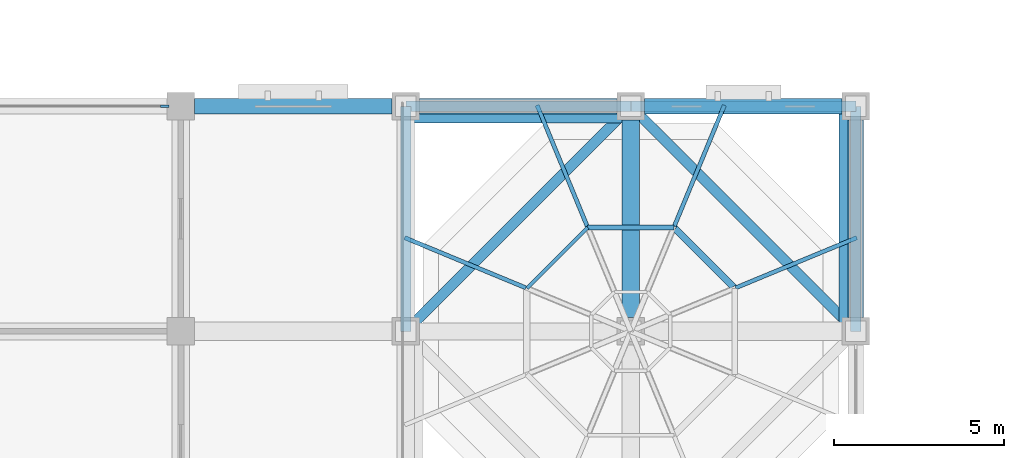
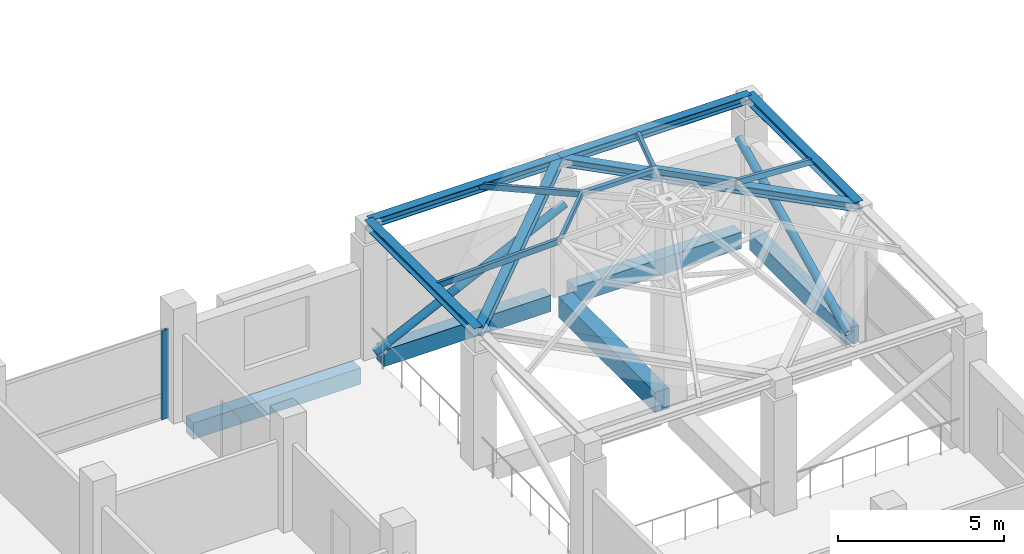
# One storey, part 7 of 25: 11 beams, 10 members, 1 element without a shape of its own.
"""IFC4 building model written with IfcOpenShell, lengths in metres."""

from ifc_helpers import new_model, si_unit, direction, frame, origin, origin_2d, place, context, subcontext, project, spatial, rectangle, hollow_rectangle, hollow_circle, i_section, extrude, material, material_profile, profile_set, type_object, element, aggregate, save


model = new_model("IFC4")

# Units and contexts
model_context = context("Model", 3, precision=1e-05, world=origin(), true_north=direction((0.0, 1.0)))
body_context = subcontext(model_context, "Body", "Model", "MODEL_VIEW")
ifc_project = project(units=[si_unit("LENGTHUNIT", "METRE"), si_unit("AREAUNIT", "SQUARE_METRE"), si_unit("VOLUMEUNIT", "CUBIC_METRE"), si_unit("PLANEANGLEUNIT", "RADIAN"), si_unit("MASSUNIT", "GRAM", prefix="KILO")], contexts=[model_context])

# Site, building, storey
site_placement = place(None, origin())
site = spatial("IfcSite", under=ifc_project, at=site_placement, CompositionType="ELEMENT")
building_placement = place(site_placement, origin())
building = spatial("IfcBuilding", under=site, at=building_placement, Name="Rusizi Kubbe Research Institute", CompositionType="ELEMENT")
storey_placement = place(building_placement, frame((0.0, 0.0, 14.39990234375)))
storey = spatial("IfcBuildingStorey", under=building, at=storey_placement, Name="L03", CompositionType="ELEMENT", Elevation=14.39990234375)

# Beams
ifc_material_1 = material(Name="Steel S355", Category="steel")
ifc_material_profile_1 = material_profile(ifc_material_1, i_section(OverallWidth=0.300048828125, OverallDepth=0.300048828125, WebThickness=0.010986328125, FlangeThickness=0.01904296875, at=origin_2d()), Name="HEB 300")
ifc_profile_set_1 = profile_set([ifc_material_profile_1], Name="Steel S355")
beam_type_1 = type_object("IfcBeamType", Name="BM-HEB300", PredefinedType="BEAM", material=ifc_profile_set_1)
beam_1_placement = place(storey_placement, frame((52.800048828125, 46.199951171875, 4.7001953125), z_axis=(0.0, 1.0, 0.0), x_axis=(-1.0, 0.0, 0.0)))
element("IfcBeam", 1, at=beam_1_placement, inside=storey, type_object=beam_type_1, Name="Kubbe Dome Ring Beam DOME-ATR E2", PredefinedType="BEAM", context=body_context, shape_type="SweptSolid", body=[
    extrude(i_section(OverallWidth=0.300048828125, OverallDepth=0.300048828125, WebThickness=0.010986328125, FlangeThickness=0.01904296875, at=origin_2d()), origin(), (0.0, 0.0, 1.0), 6.60009765625),
])
beam_2_placement = place(storey_placement, frame((39.60009765625, 52.800048828125, 4.7001953125), z_axis=(1.0, 0.0, 0.0), x_axis=(0.0, 1.0, 0.0)))
element("IfcBeam", 2, at=beam_2_placement, inside=storey, type_object=beam_type_1, Name="Kubbe Dome Ring Beam DOME-ATR N1", PredefinedType="BEAM", context=body_context, shape_type="SweptSolid", body=[
    extrude(i_section(OverallWidth=0.300048828125, OverallDepth=0.300048828125, WebThickness=0.010986328125, FlangeThickness=0.01904296875, at=origin_2d()), origin(), (0.0, 0.0, 1.0), 6.599853515625),
])
for number, where, z_axis, x_axis, name in (
    (3, (46.199951171875, 52.800048828125, 4.7001953125), (1.0, 0.0, 0.0), (0.0, 1.0, 0.0), "Kubbe Dome Ring Beam DOME-ATR N2"),
    (4, (39.60009765625, 46.199951171875, 4.7001953125), (0.0, 1.0, 0.0), (-1.0, 0.0, 0.0), "Kubbe Dome Ring Beam DOME-ATR W2"),
):
    element("IfcBeam", number, at=place(storey_placement, frame(where, z_axis=z_axis, x_axis=x_axis)), inside=storey, type_object=beam_type_1, Name=name, PredefinedType="BEAM", context=body_context, shape_type="SweptSolid", body=[
        extrude(i_section(OverallWidth=0.300048828125, OverallDepth=0.300048828125, WebThickness=0.010986328125, FlangeThickness=0.01904296875, at=origin_2d()), origin(), (0.0, 0.0, 1.0), 6.60009765625),
    ])
beam_3_placement = place(storey_placement, frame((52.800048828125, 46.199951171875, 4.7001953125), z_axis=(-0.707106781187, 0.707106781187, 0.0), x_axis=(-0.707106781187, -0.707106781187, 0.0)))
element("IfcBeam", 5, at=beam_3_placement, inside=storey, type_object=beam_type_1, Name="Kubbe Dome Ring Beam DOME-ATR PNE", PredefinedType="BEAM", context=body_context, shape_type="SweptSolid", body=[
    extrude(i_section(OverallWidth=0.300048828125, OverallDepth=0.300048828125, WebThickness=0.010986328125, FlangeThickness=0.01904296875, at=origin_2d()), origin(), (0.0, 0.0, 1.0), 9.333984375),
])
beam_4_placement = place(storey_placement, frame((46.199951171875, 52.800048828125, 4.7001953125), z_axis=(-0.707093702722, -0.707119859409, 0.0), x_axis=(0.707119859409, -0.707093702722, 0.0)))
element("IfcBeam", 6, at=beam_4_placement, inside=storey, type_object=beam_type_1, Name="Kubbe Dome Ring Beam DOME-ATR PNW", PredefinedType="BEAM", context=body_context, shape_type="SweptSolid", body=[
    extrude(i_section(OverallWidth=0.300048828125, OverallDepth=0.300048828125, WebThickness=0.010986328125, FlangeThickness=0.01904296875, at=origin_2d()), origin(), (0.0, 0.0, 1.0), 9.333740234375),
])
ifc_material_2 = material(Name="Concrete C40/50", Category="concrete")
ifc_material_profile_2 = material_profile(ifc_material_2, rectangle(XDim=0.449951171875, YDim=0.60009765625, at=origin_2d()), Name="RC450x600")
ifc_profile_set_2 = profile_set([ifc_material_profile_2], Name="Concrete C40/50")
beam_type_2 = type_object("IfcBeamType", Name="BM-RC450x600", PredefinedType="SPANDREL", material=ifc_profile_set_2)
for number, where, z_axis, x_axis, name in (
    (7, (33.39990234375, 52.800048828125, -0.64990234375), (1.0, 0.0, 0.0), (0.0, 1.0, 0.0), "Grid Beam H L03 (5,8)"),
    (8, (40.0, 52.800048828125, -0.2998046875), (1.0, 0.0, 0.0), (0.0, 1.0, 0.0), "Grid Beam H L03 (6,8)"),
):
    element("IfcBeam", number, at=place(storey_placement, frame(where, z_axis=z_axis, x_axis=x_axis)), inside=storey, type_object=beam_type_2, Name=name, PredefinedType="SPANDREL", context=body_context, shape_type="SweptSolid", body=[
        extrude(rectangle(XDim=0.449951171875, YDim=0.60009765625, at=origin_2d()), origin(), (0.0, 0.0, 1.0), 5.800048828125),
    ])
for number, where, z_axis, x_axis, name in (
    (9, (46.60009765625, 52.800048828125, -0.2998046875), (1.0, 0.0, 0.0), (0.0, 1.0, 0.0), "Grid Beam H L03 (7,8)"),
    (10, (52.800048828125, 46.60009765625, -0.2998046875), (0.0, 1.0, 0.0), (-1.0, 0.0, 0.0), "Grid Beam V L03 (8,7)"),
):
    element("IfcBeam", number, at=place(storey_placement, frame(where, z_axis=z_axis, x_axis=x_axis)), inside=storey, type_object=beam_type_2, Name=name, PredefinedType="SPANDREL", context=body_context, shape_type="SweptSolid", body=[
        extrude(rectangle(XDim=0.449951171875, YDim=0.60009765625, at=origin_2d()), origin(), (0.0, 0.0, 1.0), 5.7998046875),
    ])
ifc_material_3 = material(Name="Concrete C45/55", Category="concrete")
ifc_material_profile_3 = material_profile(ifc_material_3, rectangle(XDim=0.5, YDim=0.75, at=origin_2d()), Name="RC500x750B")
ifc_profile_set_3 = profile_set([ifc_material_profile_3], Name="Concrete C45/55")
beam_type_3 = type_object("IfcBeamType", Name="BM-RC500x750", PredefinedType="BEAM", material=ifc_profile_set_3)
beam_5_placement = place(storey_placement, frame((46.199951171875, 46.60009765625, -0.375), z_axis=(0.0, 1.0, 0.0), x_axis=(-1.0, 0.0, 0.0)))
element("IfcBeam", 11, at=beam_5_placement, inside=storey, type_object=beam_type_3, Name="Grid Beam V L03 (7,7)", PredefinedType="BEAM", context=body_context, shape_type="SweptSolid", body=[
    extrude(rectangle(XDim=0.5, YDim=0.75, at=origin_2d()), origin(), (0.0, 0.0, 1.0), 5.7998046875),
])

# Members
ifc_material_4 = material(Name="Steel S355", Category="steel")
ifc_material_profile_4 = material_profile(ifc_material_4, hollow_circle(Radius=0.136474609375, WallThickness=0.010009765625, at=origin_2d()), Name="CHS 273.0x10.0")
ifc_profile_set_4 = profile_set([ifc_material_profile_4], Name="Steel S355")
member_type_1 = type_object("IfcMemberType", Name="MB-CHS273", PredefinedType="BRACE", material=ifc_profile_set_4)
member_1_placement = place(storey_placement, frame((39.60009765625, 52.43994140625, 0.150146484375), z_axis=(0.901950068618, 0.0, 0.431840333597), x_axis=(0.0, 1.0, 0.0)))
element("IfcMember", 12, at=member_1_placement, inside=storey, type_object=member_type_1, Name="Atrium Frame Lateral Brace L03-N", PredefinedType="BRACE", context=body_context, shape_type="SweptSolid", body=[
    extrude(hollow_circle(Radius=0.136474609375, WallThickness=0.010009765625, at=origin_2d()), origin(), (0.0, 0.0, 1.0), 7.3173828125),
])
member_2_placement = place(storey_placement, frame((52.43994140625, 46.199951171875, 0.150146484375), z_axis=(0.0, 0.901956290403, 0.431827338414), x_axis=(-1.0, 0.0, 0.0)))
element("IfcMember", 13, at=member_2_placement, inside=storey, type_object=member_type_1, Name="Atrium Frame Lateral Brace L03-E", PredefinedType="BRACE", context=body_context, shape_type="SweptSolid", body=[
    extrude(hollow_circle(Radius=0.136474609375, WallThickness=0.010009765625, at=origin_2d()), origin(), (0.0, 0.0, 1.0), 7.317626953125),
])
ifc_material_5 = material(Name="Steel S355", Category="steel")
ifc_material_profile_5 = material_profile(ifc_material_5, hollow_rectangle(XDim=0.10009765625, YDim=0.179931640625, WallThickness=0.008056640625, at=origin_2d()), Name="RHS 180x100x8.0")
ifc_profile_set_5 = profile_set([ifc_material_profile_5], Name="Steel S355")
member_type_2 = type_object("IfcMemberType", Name="MB-RHS180", PredefinedType="PURLIN", material=ifc_profile_set_5)
member_3_placement = place(storey_placement, frame((44.937255859375, 49.248779296875, 6.045166015625), z_axis=(-0.707155108889, -0.707058450181, 0.0), x_axis=(0.707058450181, -0.707155108889, 0.0)))
element("IfcMember", 14, at=member_3_placement, inside=storey, type_object=member_type_2, Name="Kubbe Vault Hoop Purlin Mid DOME-ATR-3", PredefinedType="PURLIN", context=body_context, shape_type="SweptSolid", body=[
    extrude(hollow_rectangle(XDim=0.10009765625, YDim=0.179931640625, WallThickness=0.008056640625, at=origin_2d()), origin(), (0.0, 0.0, 1.0), 2.52587890625),
])
ifc_material_6 = material(Name="Steel S355", Category="steel")
ifc_material_profile_6 = material_profile(ifc_material_6, hollow_rectangle(XDim=0.1201171875, YDim=0.199951171875, WallThickness=0.008056640625, at=origin_2d()), Name="RHS 200x120x8.0")
ifc_profile_set_6 = profile_set([ifc_material_profile_6], Name="Steel S355")
member_type_3 = type_object("IfcMemberType", Name="MB-RHS200", PredefinedType="RAFTER", material=ifc_profile_set_6)
for number, where, z_axis, x_axis, name in (
    (15, (52.800048828125, 48.933837890625, 4.7001953125), (-0.872041315873, -0.361202318722, 0.330267813086), (0.38267527446, -0.923882911584, 0.0), "Kubbe Arch Rib Lower DOME-ATR-1"),
    (16, (48.933837890625, 52.800048828125, 4.7001953125), (-0.361202318722, -0.872041315873, 0.330267813086), (0.923882911584, -0.38267527446, 0.0), "Kubbe Arch Rib Lower DOME-ATR-2"),
    (17, (43.46630859375, 52.800048828125, 4.7001953125), (0.361202318722, -0.872041315873, 0.330267813086), (0.923882911584, 0.38267527446, 0.0), "Kubbe Arch Rib Lower DOME-ATR-3"),
    (18, (39.60009765625, 48.933837890625, 4.7001953125), (0.872026953945, -0.361221202992, 0.330285080047), (0.382697731059, 0.923873609669, 0.0), "Kubbe Arch Rib Lower DOME-ATR-4"),
):
    element("IfcMember", number, at=place(storey_placement, frame(where, z_axis=z_axis, x_axis=x_axis)), inside=storey, type_object=member_type_3, Name=name, PredefinedType="RAFTER", context=body_context, shape_type="SweptSolid", body=[
        extrude(hollow_rectangle(XDim=0.1201171875, YDim=0.199951171875, WallThickness=0.008056640625, at=origin_2d()), origin(), (0.0, 0.0, 1.0), 4.072265625),
    ])
ifc_material_7 = material(Name="Steel S355", Category="steel")
ifc_material_profile_7 = material_profile(ifc_material_7, hollow_rectangle(XDim=0.14990234375, YDim=0.14990234375, WallThickness=0.008056640625, at=origin_2d()), Name="SHS 150x150x8.0")
ifc_profile_set_7 = profile_set([ifc_material_profile_7], Name="Steel S355")
member_type_4 = type_object("IfcMemberType", Name="MB-SHS150", PredefinedType="PURLIN", material=ifc_profile_set_7)
member_4_placement = place(storey_placement, frame((47.462890625, 49.248779296875, 6.045166015625), z_axis=(-1.0, 0.0, 0.0), x_axis=(0.0, -1.0, 0.0)))
element("IfcMember", 19, at=member_4_placement, inside=storey, type_object=member_type_4, Name="Kubbe Vault Hoop Purlin Mid DOME-ATR-2", PredefinedType="PURLIN", context=body_context, shape_type="SweptSolid", body=[
    extrude(hollow_rectangle(XDim=0.14990234375, YDim=0.14990234375, WallThickness=0.008056640625, at=origin_2d()), origin(), (0.0, 0.0, 1.0), 2.525634765625),
])
ifc_material_8 = material(Name="Steel S355", Category="steel")
ifc_material_profile_8 = material_profile(ifc_material_8, hollow_rectangle(XDim=0.199951171875, YDim=0.199951171875, WallThickness=0.010009765625, at=origin_2d()), Name="SHS 200x200x10.0")
ifc_profile_set_8 = profile_set([ifc_material_profile_8], Name="Steel S355")
member_type_5 = type_object("IfcMemberType", Name="MB-SHS200", PredefinedType="PURLIN", material=ifc_profile_set_8)
member_5_placement = place(storey_placement, frame((49.248779296875, 47.462890625, 6.045166015625), z_axis=(-0.707106781187, 0.707106781187, 0.0), x_axis=(-0.707106781187, -0.707106781187, 0.0)))
element("IfcMember", 20, at=member_5_placement, inside=storey, type_object=member_type_5, Name="Kubbe Vault Hoop Purlin Mid DOME-ATR-1", PredefinedType="PURLIN", context=body_context, shape_type="SweptSolid", body=[
    extrude(hollow_rectangle(XDim=0.199951171875, YDim=0.199951171875, WallThickness=0.010009765625, at=origin_2d()), origin(), (0.0, 0.0, 1.0), 2.525634765625),
])

# Curtain wall, member
ifc_material_9 = material(Name="Thermally Broken Aluminium and Low-E Glazing", Category="aluminium")
curtain_wall_type = type_object("IfcCurtainWallType", Name="CW-06", PredefinedType="NOTDEFINED", material=ifc_material_9)
curtain_wall_placement = place(storey_placement, origin())
curtain_wall = element("IfcCurtainWall", 21, at=curtain_wall_placement, inside=storey, type_object=curtain_wall_type, Name="Unitised Facade Curtain Wall CW-L03-H-04-08", PredefinedType="NOTDEFINED")
ifc_material_10 = material(Name="Aluminium Alloy 6063-T6", Category="aluminium")
ifc_material_profile_9 = material_profile(ifc_material_10, rectangle(XDim=0.074951171875, YDim=0.25, at=origin_2d()), Name="ALU-M 75x250")
ifc_profile_set_9 = profile_set([ifc_material_profile_9], Name="Aluminium Alloy 6063-T6")
member_type_6 = type_object("IfcMemberType", Name="ML-05", PredefinedType="MULLION", material=ifc_profile_set_9)
member_6_placement = place(storey_placement, frame((32.532470703125, 52.800048828125, 0.0), z_axis=(0.0, 0.0, 1.0), x_axis=(0.0, 1.0, 0.0)))
member_6 = element("IfcMember", 22, at=member_6_placement, type_object=member_type_6, Name="CW-06 mullion 2", PredefinedType="MULLION", context=body_context, shape_type="SweptSolid", body=[
    extrude(rectangle(XDim=0.074951171875, YDim=0.25, at=origin_2d()), origin(), (0.0, 0.0, 1.0), 3.260009765625),
])
aggregate(curtain_wall, [member_6])

save(model, "model.ifc")
